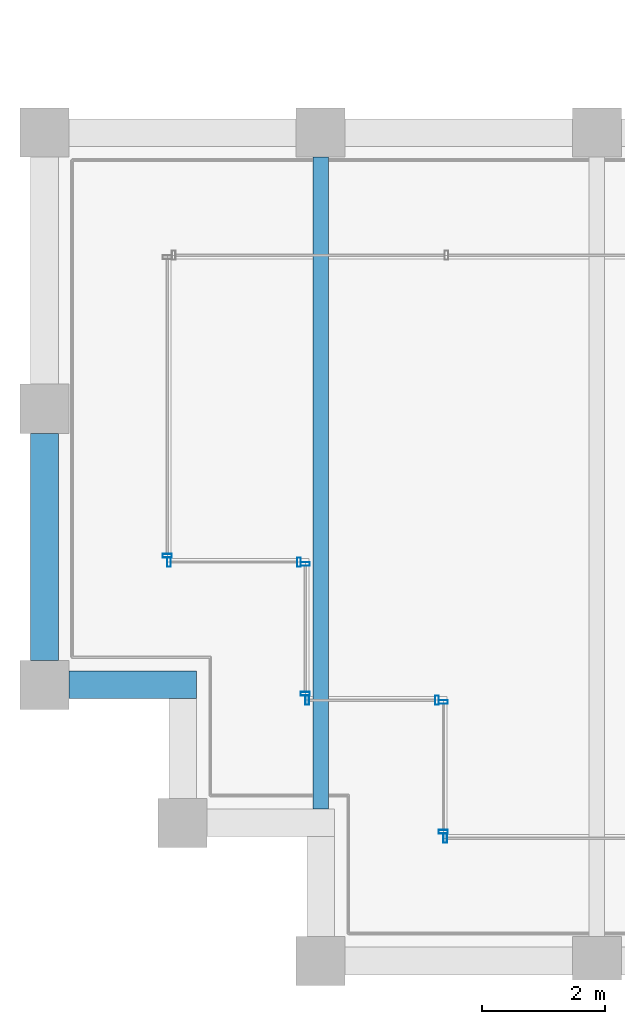
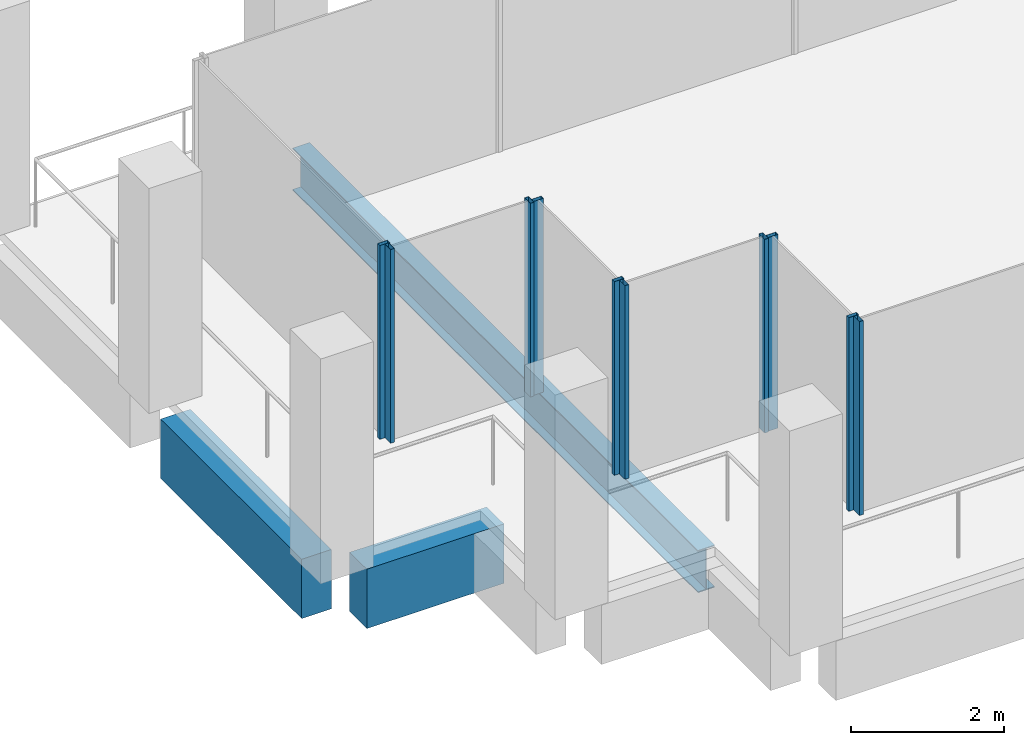
# One storey, part 2 of 40: 10 members, 3 beams, 6 elements without a shape of their own.
"""IFC4 building model written with IfcOpenShell, lengths in metres."""

from ifc_helpers import new_model, si_unit, direction, frame, origin, origin_2d, place, context, subcontext, project, spatial, rectangle, hollow_rectangle, i_section, extrude, material, material_profile, profile_set, type_object, element, aggregate, save


model = new_model("IFC4")

# Units and contexts
model_context = context("Model", 3, precision=1e-05, world=origin(), true_north=direction((0.0, 1.0)))
body_context = subcontext(model_context, "Body", "Model", "MODEL_VIEW")
ifc_project = project(units=[si_unit("LENGTHUNIT", "METRE"), si_unit("AREAUNIT", "SQUARE_METRE"), si_unit("VOLUMEUNIT", "CUBIC_METRE"), si_unit("PLANEANGLEUNIT", "RADIAN"), si_unit("MASSUNIT", "GRAM", prefix="KILO")], contexts=[model_context])

# Site, building, storey
site_placement = place(None, origin())
site = spatial("IfcSite", under=ifc_project, at=site_placement, CompositionType="ELEMENT")
building_placement = place(site_placement, origin())
building = spatial("IfcBuilding", under=site, at=building_placement, Name="Altepetl Exchange Towers", CompositionType="ELEMENT")
storey_placement = place(building_placement, frame((0.0, 0.0, 202.800048828125)))
storey = spatial("IfcBuildingStorey", under=building, at=storey_placement, Name="L51", CompositionType="ELEMENT", Elevation=202.800048828125)

# Beam
ifc_material_1 = material(Name="Steel S355", Category="steel")
ifc_material_profile_1 = material_profile(ifc_material_1, i_section(OverallWidth=0.2529296875, OverallDepth=0.677978515625, WebThickness=0.01171875, FlangeThickness=0.016357421875, at=origin_2d()), Name="W27X84")
ifc_profile_set_1 = profile_set([ifc_material_profile_1], Name="Steel S355")
beam_type_1 = type_object("IfcBeamType", Name="Floor beam W27X84", PredefinedType="BEAM", material=ifc_profile_set_1)
beam_1_placement = place(storey_placement, frame((31.5, 29.47509765625, -0.489013671875), z_axis=(0.0, 1.0, 0.0), x_axis=(-1.0, 0.0, 0.0)))
element("IfcBeam", 1, at=beam_1_placement, inside=storey, type_object=beam_type_1, Name="bm:A:L51:012", PredefinedType="BEAM", context=body_context, shape_type="SweptSolid", body=[
    extrude(i_section(OverallWidth=0.2529296875, OverallDepth=0.677978515625, WebThickness=0.01171875, FlangeThickness=0.016357421875, at=origin_2d()), origin(), (0.0, 0.0, 1.0), 10.625),
])

# Curtain wall, member
ifc_material_2 = material(Name="Aluminium 6063-T6 glazing", Category="aluminium")
curtain_wall_type = type_object("IfcCurtainWallType", Name="Loggia glazing system", PredefinedType="NOTDEFINED", material=ifc_material_2)
curtain_wall_1_placement = place(storey_placement, origin())
curtain_wall_1 = element("IfcCurtainWall", 2, at=curtain_wall_1_placement, inside=storey, type_object=curtain_wall_type, Name="CW1 run", PredefinedType="NOTDEFINED")
ifc_material_3 = material(Name="Aluminium 6063-T6", Category="aluminium")
ifc_material_profile_2 = material_profile(ifc_material_3, hollow_rectangle(XDim=0.06005859375, YDim=0.14990234375, WallThickness=0.0029296875, at=origin_2d()), Name="Mullion 60x150 aluminium")
ifc_profile_set_2 = profile_set([ifc_material_profile_2], Name="Aluminium 6063-T6")
member_type = type_object("IfcMemberType", Name="Mullion 60x150 aluminium", PredefinedType="MULLION", material=ifc_profile_set_2)
member_1_placement = place(storey_placement, frame((29.0, 33.60498046875, 0.0), z_axis=(0.0, 0.0, 1.0), x_axis=(0.0, -1.0, 0.0)))
member_1 = element("IfcMember", 3, at=member_1_placement, type_object=member_type, Name="MU1 mullion", PredefinedType="MULLION", context=body_context, shape_type="SweptSolid", body=[
    extrude(hollow_rectangle(XDim=0.06005859375, YDim=0.14990234375, WallThickness=0.0029296875, at=origin_2d()), origin(), (0.0, 0.0, 1.0), 3.099853515625),
])
aggregate(curtain_wall_1, [member_1])

# Curtain wall, members
curtain_wall_2_placement = place(storey_placement, origin())
curtain_wall_2 = element("IfcCurtainWall", 4, at=curtain_wall_2_placement, inside=storey, type_object=curtain_wall_type, Name="CW1 run", PredefinedType="NOTDEFINED")
member_2_placement = place(storey_placement, frame((29.030029296875, 33.5, 0.0)))
member_2 = element("IfcMember", 5, at=member_2_placement, type_object=member_type, Name="MU1 mullion", PredefinedType="MULLION", context=body_context, shape_type="SweptSolid", body=[
    extrude(hollow_rectangle(XDim=0.06005859375, YDim=0.14990234375, WallThickness=0.0029296875, at=origin_2d()), origin(), (0.0, 0.0, 1.0), 3.099853515625),
])
member_3_placement = place(storey_placement, frame((31.14501953125, 33.5, 0.0)))
member_3 = element("IfcMember", 6, at=member_3_placement, type_object=member_type, Name="MU1 mullion", PredefinedType="MULLION", context=body_context, shape_type="SweptSolid", body=[
    extrude(hollow_rectangle(XDim=0.06005859375, YDim=0.14990234375, WallThickness=0.0029296875, at=origin_2d()), origin(), (0.0, 0.0, 1.0), 3.099853515625),
])
aggregate(curtain_wall_2, [member_2, member_3])

curtain_wall_3_placement = place(storey_placement, origin())
curtain_wall_3 = element("IfcCurtainWall", 7, at=curtain_wall_3_placement, inside=storey, type_object=curtain_wall_type, Name="CW1 run", PredefinedType="NOTDEFINED")
member_4_placement = place(storey_placement, frame((31.25, 33.469970703125, 0.0), z_axis=(0.0, 0.0, 1.0), x_axis=(0.0, -1.0, 0.0)))
member_4 = element("IfcMember", 8, at=member_4_placement, type_object=member_type, Name="MU1 mullion", PredefinedType="MULLION", context=body_context, shape_type="SweptSolid", body=[
    extrude(hollow_rectangle(XDim=0.06005859375, YDim=0.14990234375, WallThickness=0.0029296875, at=origin_2d()), origin(), (0.0, 0.0, 1.0), 3.099853515625),
])
member_5_placement = place(storey_placement, frame((31.25, 31.35498046875, 0.0), z_axis=(0.0, 0.0, 1.0), x_axis=(0.0, -1.0, 0.0)))
member_5 = element("IfcMember", 9, at=member_5_placement, type_object=member_type, Name="MU1 mullion", PredefinedType="MULLION", context=body_context, shape_type="SweptSolid", body=[
    extrude(hollow_rectangle(XDim=0.06005859375, YDim=0.14990234375, WallThickness=0.0029296875, at=origin_2d()), origin(), (0.0, 0.0, 1.0), 3.099853515625),
])
aggregate(curtain_wall_3, [member_4, member_5])

curtain_wall_4_placement = place(storey_placement, origin())
curtain_wall_4 = element("IfcCurtainWall", 10, at=curtain_wall_4_placement, inside=storey, type_object=curtain_wall_type, Name="CW1 run", PredefinedType="NOTDEFINED")
member_6_placement = place(storey_placement, frame((31.280029296875, 31.25, 0.0)))
member_6 = element("IfcMember", 11, at=member_6_placement, type_object=member_type, Name="MU1 mullion", PredefinedType="MULLION", context=body_context, shape_type="SweptSolid", body=[
    extrude(hollow_rectangle(XDim=0.06005859375, YDim=0.14990234375, WallThickness=0.0029296875, at=origin_2d()), origin(), (0.0, 0.0, 1.0), 3.099853515625),
])
member_7_placement = place(storey_placement, frame((33.39501953125, 31.25, 0.0)))
member_7 = element("IfcMember", 12, at=member_7_placement, type_object=member_type, Name="MU1 mullion", PredefinedType="MULLION", context=body_context, shape_type="SweptSolid", body=[
    extrude(hollow_rectangle(XDim=0.06005859375, YDim=0.14990234375, WallThickness=0.0029296875, at=origin_2d()), origin(), (0.0, 0.0, 1.0), 3.099853515625),
])
aggregate(curtain_wall_4, [member_6, member_7])

curtain_wall_5_placement = place(storey_placement, origin())
curtain_wall_5 = element("IfcCurtainWall", 13, at=curtain_wall_5_placement, inside=storey, type_object=curtain_wall_type, Name="CW1 run", PredefinedType="NOTDEFINED")
member_8_placement = place(storey_placement, frame((33.5, 31.219970703125, 0.0), z_axis=(0.0, 0.0, 1.0), x_axis=(0.0, -1.0, 0.0)))
member_8 = element("IfcMember", 14, at=member_8_placement, type_object=member_type, Name="MU1 mullion", PredefinedType="MULLION", context=body_context, shape_type="SweptSolid", body=[
    extrude(hollow_rectangle(XDim=0.06005859375, YDim=0.14990234375, WallThickness=0.0029296875, at=origin_2d()), origin(), (0.0, 0.0, 1.0), 3.099853515625),
])
member_9_placement = place(storey_placement, frame((33.5, 29.10498046875, 0.0), z_axis=(0.0, 0.0, 1.0), x_axis=(0.0, -1.0, 0.0)))
member_9 = element("IfcMember", 15, at=member_9_placement, type_object=member_type, Name="MU1 mullion", PredefinedType="MULLION", context=body_context, shape_type="SweptSolid", body=[
    extrude(hollow_rectangle(XDim=0.06005859375, YDim=0.14990234375, WallThickness=0.0029296875, at=origin_2d()), origin(), (0.0, 0.0, 1.0), 3.099853515625),
])
aggregate(curtain_wall_5, [member_8, member_9])

# Curtain wall, member
curtain_wall_6_placement = place(storey_placement, origin())
curtain_wall_6 = element("IfcCurtainWall", 16, at=curtain_wall_6_placement, inside=storey, type_object=curtain_wall_type, Name="CW1 run", PredefinedType="NOTDEFINED")
member_10_placement = place(storey_placement, frame((33.530029296875, 29.0, 0.0)))
member_10 = element("IfcMember", 17, at=member_10_placement, type_object=member_type, Name="MU1 mullion", PredefinedType="MULLION", context=body_context, shape_type="SweptSolid", body=[
    extrude(hollow_rectangle(XDim=0.06005859375, YDim=0.14990234375, WallThickness=0.0029296875, at=origin_2d()), origin(), (0.0, 0.0, 1.0), 3.099853515625),
])
aggregate(curtain_wall_6, [member_10])

# Beams
ifc_material_4 = material(Name="Concrete C50/60 precast with cantera blanca facing", Category="concrete")
ifc_material_profile_3 = material_profile(ifc_material_4, rectangle(XDim=0.449951171875, YDim=0.949951171875, at=origin_2d()), Name="450 x 950")
ifc_profile_set_3 = profile_set([ifc_material_profile_3], Name="Concrete C50/60 precast with cantera blanca facing")
beam_type_2 = type_object("IfcBeamType", Name="Spandrel beam 450x950 cantera blanca", PredefinedType="SPANDREL", material=ifc_profile_set_3)
beam_2_placement = place(storey_placement, frame((27.0, 35.60009765625, -0.625), z_axis=(0.0, -1.0, 0.0), x_axis=(1.0, 0.0, 0.0)))
element("IfcBeam", 18, at=beam_2_placement, inside=storey, type_object=beam_type_2, Name="sp:A:L51:037", PredefinedType="SPANDREL", context=body_context, shape_type="SweptSolid", body=[
    extrude(rectangle(XDim=0.449951171875, YDim=0.949951171875, at=origin_2d()), origin(), (0.0, 0.0, 1.0), 3.7001953125),
])
beam_3_placement = place(storey_placement, frame((27.39990234375, 31.5, -0.625), z_axis=(1.0, 0.0, 0.0), x_axis=(0.0, 1.0, 0.0)))
element("IfcBeam", 19, at=beam_3_placement, inside=storey, type_object=beam_type_2, Name="sp:A:L51:038", PredefinedType="SPANDREL", context=body_context, shape_type="SweptSolid", body=[
    extrude(rectangle(XDim=0.449951171875, YDim=0.949951171875, at=origin_2d()), origin(), (0.0, 0.0, 1.0), 2.0751953125),
])

save(model, "model.ifc")
